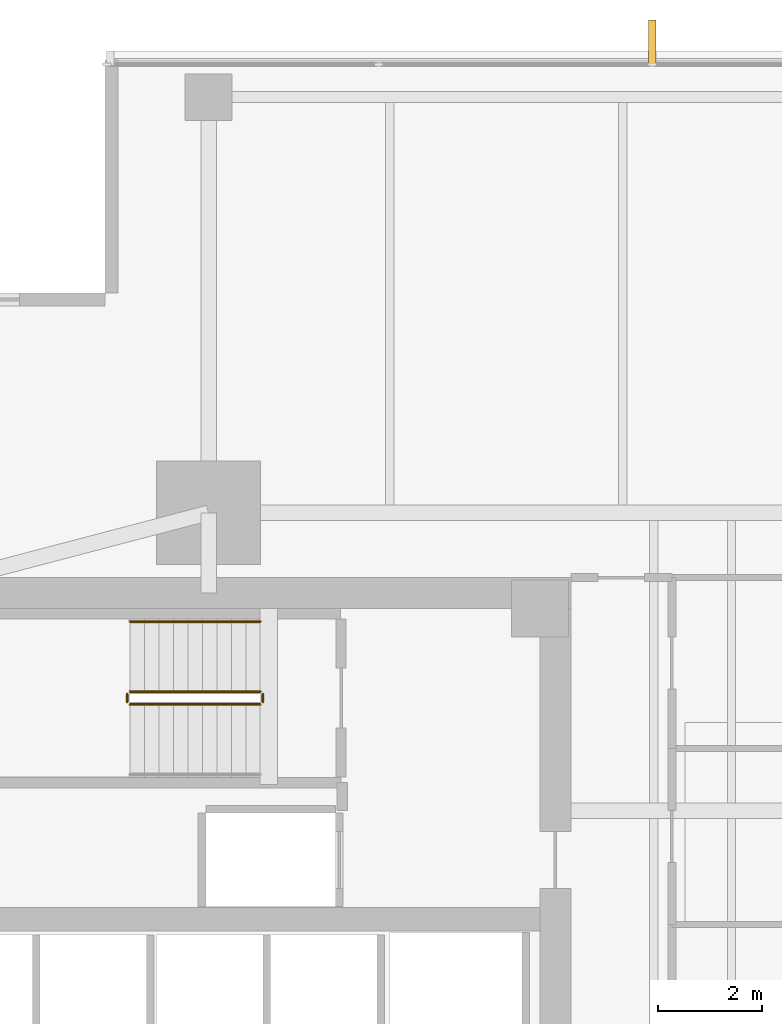
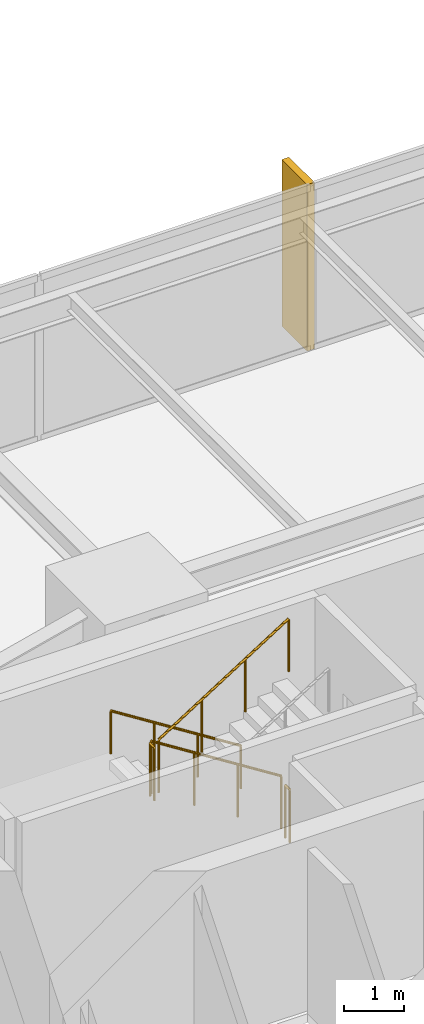
# One storey, part 13 of 14: 5 railings, 1 covering.
"""IFC4 building model written with IfcOpenShell, lengths in metres."""

from ifc_helpers import new_model, si_unit, direction, frame, origin, origin_2d, place, context, subcontext, project, spatial, polyline, circle, outline, extrude, material, layer, layer_set, type_object, element, save


model = new_model("IFC4")

# Units and contexts
model_context = context("Model", 3, precision=1e-05, world=origin(), true_north=direction((0.0, 1.0)))
body_context = subcontext(model_context, "Body", "Model", "MODEL_VIEW")
ifc_project = project(units=[si_unit("LENGTHUNIT", "METRE"), si_unit("AREAUNIT", "SQUARE_METRE"), si_unit("VOLUMEUNIT", "CUBIC_METRE"), si_unit("PLANEANGLEUNIT", "RADIAN"), si_unit("MASSUNIT", "GRAM", prefix="KILO")], contexts=[model_context])

# Site, building, storey
site_placement = place(None, origin())
site = spatial("IfcSite", under=ifc_project, at=site_placement, CompositionType="ELEMENT")
building_placement = place(site_placement, origin())
building = spatial("IfcBuilding", under=site, at=building_placement, Name="Kinhvarn Gate Tower", CompositionType="ELEMENT")
storey_placement = place(building_placement, frame((0.0, 0.0, 130.64990234375)))
storey = spatial("IfcBuildingStorey", under=building, at=storey_placement, Name="L34", CompositionType="ELEMENT", Elevation=130.64990234375)

# Covering
ifc_material_1 = material(Name="Fired architectural terracotta", Category="masonry")
ifc_layer = layer(ifc_material_1, 0.139892578125)
ifc_layer_set = layer_set([ifc_layer], Name="Fired architectural terracotta")
covering_type = type_object("IfcCoveringType", Name="COV-FIN-850", PredefinedType="CLADDING", material=ifc_layer_set)
covering_placement = place(storey_placement, frame((0.0, 0.0, -0.02001953125)))
element("IfcCovering", 1, at=covering_placement, inside=storey, type_object=covering_type, Name="Vertical Terracotta Expressive Fin TFN-850 (L34)", PredefinedType="CLADDING", context=body_context, shape_type="SweptSolid", body=[
    extrude(outline(polyline([(19.641357421875, 46.419921875), (19.50146484375, 46.419921875), (19.50146484375, 47.27001953125), (19.641357421875, 47.27001953125), (19.641357421875, 46.419921875)])), origin(), (0.0, 0.0, 1.0), 3.41015625),
])

# Railings
ifc_material_2 = material(Name="Steel S355", Category="steel")
railing_type_1 = type_object("IfcRailingType", Name="RL-ST-GRD", PredefinedType="BALUSTRADE", material=ifc_material_2)
railing_1_placement = place(storey_placement, frame((12.0, 34.300048828125, 0.177490234375)))
element("IfcRailing", 2, at=railing_1_placement, inside=storey, type_object=railing_type_1, Name="L34 ST2 stair guard 1", PredefinedType="BALUSTRADE", context=body_context, shape_type="SweptSolid", body=[
    extrude(circle(Radius=0.02392578125, at=origin_2d()), frame((0.0, 0.0, 1.076171875), z_axis=(-0.84456994832, 0.0, 0.535445237532), x_axis=(0.0, -1.0, 0.0)), (0.0, 0.0, 1.0), 2.98388671875),
    extrude(circle(Radius=0.02099609375, at=origin_2d()), origin(), (0.0, 0.0, 1.0), 1.052001953125),
    extrude(circle(Radius=0.02099609375, at=origin_2d()), frame((-0.840087890625, 0.0, 0.532470703125)), (0.0, 0.0, 1.0), 1.052001953125),
    extrude(circle(Radius=0.02099609375, at=origin_2d()), frame((-1.679931640625, 0.0, 1.065185546875)), (0.0, 0.0, 1.0), 1.052001953125),
    extrude(circle(Radius=0.02099609375, at=origin_2d()), frame((-2.52001953125, 0.0, 1.59765625)), (0.0, 0.0, 1.0), 1.052001953125),
])
railing_2_placement = place(storey_placement, frame((9.429931640625, 34.25, 1.775146484375)))
element("IfcRailing", 3, at=railing_2_placement, inside=storey, type_object=railing_type_1, Name="L34 ST2 stair guard 2", PredefinedType="BALUSTRADE", context=body_context, shape_type="SweptSolid", body=[
    extrude(circle(Radius=0.02392578125, at=origin_2d()), frame((0.0, 0.0, 1.076171875), z_axis=(0.0, -1.0, 0.0), x_axis=(1.0, 0.0, 0.0)), (0.0, 0.0, 1.0), 0.14990234375),
    extrude(circle(Radius=0.02099609375, at=origin_2d()), origin(), (0.0, 0.0, 1.0), 1.052001953125),
    extrude(circle(Radius=0.02099609375, at=origin_2d()), frame((0.0, -0.14990234375, 0.0)), (0.0, 0.0, 1.0), 1.052001953125),
])
railing_3_placement = place(storey_placement, frame((9.47998046875, 34.050048828125, 1.95263671875)))
element("IfcRailing", 4, at=railing_3_placement, inside=storey, type_object=railing_type_1, Name="L34 ST2 stair guard 3", PredefinedType="BALUSTRADE", context=body_context, shape_type="SweptSolid", body=[
    extrude(circle(Radius=0.02392578125, at=origin_2d()), frame((0.0, 0.0, 1.076171875), z_axis=(0.84460694969, 0.0, 0.535386869969), x_axis=(0.0, 1.0, 0.0)), (0.0, 0.0, 1.0), 2.983642578125),
    extrude(circle(Radius=0.02099609375, at=origin_2d()), origin(), (0.0, 0.0, 1.0), 1.052001953125),
    extrude(circle(Radius=0.02099609375, at=origin_2d()), frame((0.840087890625, 0.0, 0.532470703125)), (0.0, 0.0, 1.0), 1.052001953125),
    extrude(circle(Radius=0.02099609375, at=origin_2d()), frame((1.679931640625, 0.0, 1.06494140625)), (0.0, 0.0, 1.0), 1.052001953125),
    extrude(circle(Radius=0.02099609375, at=origin_2d()), frame((2.52001953125, 0.0, 1.597412109375)), (0.0, 0.0, 1.0), 1.052001953125),
])
railing_4_placement = place(storey_placement, frame((12.050048828125, 34.25, 0.0)))
element("IfcRailing", 5, at=railing_4_placement, inside=storey, type_object=railing_type_1, Name="L34 ST2 stair guard 4", PredefinedType="BALUSTRADE", context=body_context, shape_type="SweptSolid", body=[
    extrude(circle(Radius=0.02392578125, at=origin_2d()), frame((0.0, 0.0, 1.076171875), z_axis=(0.0, -1.0, 0.0), x_axis=(1.0, 0.0, 0.0)), (0.0, 0.0, 1.0), 0.14990234375),
    extrude(circle(Radius=0.02099609375, at=origin_2d()), origin(), (0.0, 0.0, 1.0), 1.052001953125),
    extrude(circle(Radius=0.02099609375, at=origin_2d()), frame((0.0, -0.14990234375, 0.0)), (0.0, 0.0, 1.0), 1.052001953125),
])
railing_type_2 = type_object("IfcRailingType", Name="RL-ST-HND", PredefinedType="HANDRAIL", material=ifc_material_2)
railing_5_placement = place(storey_placement, frame((12.0, 35.64990234375, 0.177490234375)))
element("IfcRailing", 6, at=railing_5_placement, inside=storey, type_object=railing_type_2, Name="L34 ST2 stair handrail 1", PredefinedType="HANDRAIL", context=body_context, shape_type="SweptSolid", body=[
    extrude(circle(Radius=0.02392578125, at=origin_2d()), frame((0.0, 0.0, 0.8759765625), z_axis=(-0.84456994832, 0.0, 0.535445237532), x_axis=(0.0, -1.0, 0.0)), (0.0, 0.0, 1.0), 2.98388671875),
    extrude(circle(Radius=0.02099609375, at=origin_2d()), origin(), (0.0, 0.0, 1.0), 0.851806640625),
    extrude(circle(Radius=0.02099609375, at=origin_2d()), frame((-0.840087890625, 0.0, 0.532470703125)), (0.0, 0.0, 1.0), 0.851806640625),
    extrude(circle(Radius=0.02099609375, at=origin_2d()), frame((-1.679931640625, 0.0, 1.065185546875)), (0.0, 0.0, 1.0), 0.851806640625),
    extrude(circle(Radius=0.02099609375, at=origin_2d()), frame((-2.52001953125, 0.0, 1.59765625)), (0.0, 0.0, 1.0), 0.851806640625),
])

save(model, "model.ifc")
